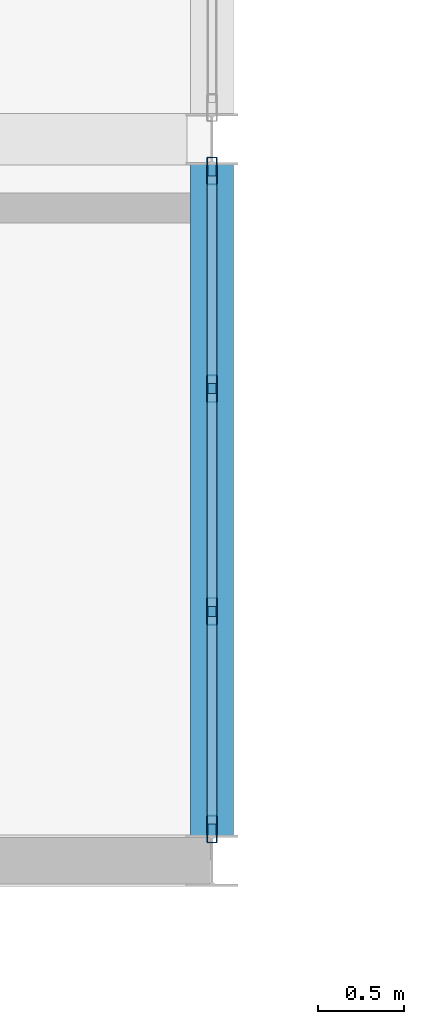
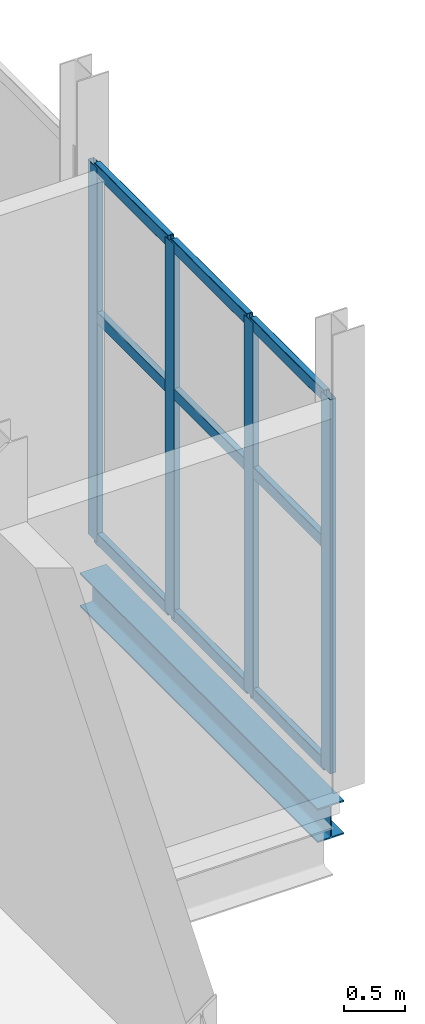
# One storey, part 25 of 172: 13 members, 1 beam, 1 element without a shape of its own.
"""IFC4 building model written with IfcOpenShell, lengths in metres."""

from ifc_helpers import new_model, si_unit, direction, frame, origin, origin_2d, place, context, subcontext, project, spatial, hollow_rectangle, i_section, extrude, material, material_profile, profile_set, type_object, element, aggregate, save


model = new_model("IFC4")

# Units and contexts
model_context = context("Model", 3, precision=1e-05, world=origin(), true_north=direction((0.0, 1.0)))
body_context = subcontext(model_context, "Body", "Model", "MODEL_VIEW")
ifc_project = project(units=[si_unit("LENGTHUNIT", "METRE"), si_unit("AREAUNIT", "SQUARE_METRE"), si_unit("VOLUMEUNIT", "CUBIC_METRE"), si_unit("PLANEANGLEUNIT", "RADIAN"), si_unit("MASSUNIT", "GRAM", prefix="KILO")], contexts=[model_context])

# Site, building, storey
site_placement = place(None, origin())
site = spatial("IfcSite", under=ifc_project, at=site_placement, CompositionType="ELEMENT")
building_placement = place(site_placement, origin())
building = spatial("IfcBuilding", under=site, at=building_placement, Name="Shengluoqiao Park Theatre", CompositionType="ELEMENT")
storey_placement = place(building_placement, frame((0.0, 0.0, 5.39990234375)))
storey = spatial("IfcBuildingStorey", under=building, at=storey_placement, Name="L01", CompositionType="ELEMENT", Elevation=5.39990234375)

# Curtain wall, members
ifc_material_1 = material(Name="Aluminium 6063-T6", Category="aluminium")
curtain_wall_type = type_object("IfcCurtainWallType", Name="ENV-CW-COURT", PredefinedType="NOTDEFINED", material=ifc_material_1)
curtain_wall_placement = place(storey_placement, origin())
curtain_wall = element("IfcCurtainWall", 1, at=curtain_wall_placement, inside=storey, type_object=curtain_wall_type, Name="L01 Curtain Wall CWX-L01-0155", PredefinedType="NOTDEFINED")
ifc_material_profile_1 = material_profile(ifc_material_1, hollow_rectangle(XDim=0.06005859375, YDim=0.159912109375, WallThickness=0.00390625, InnerFilletRadius=0.00390625, OuterFilletRadius=0.008056640625, at=origin_2d()), Name="ALU MULLION 160x60x4")
ifc_profile_set_1 = profile_set([ifc_material_profile_1], Name="Aluminium 6063-T6")
member_type_1 = type_object("IfcMemberType", Name="ENV-MUL-160", PredefinedType="MULLION", material=ifc_profile_set_1)
member_1_placement = place(storey_placement, frame((44.39990234375, 3.583984375, 0.0), z_axis=(0.0, 0.0, 1.0), x_axis=(-1.0, 0.0, 0.0)))
member_1 = element("IfcMember", 2, at=member_1_placement, type_object=member_type_1, Name="CW-05 mullion 1", PredefinedType="MULLION", context=body_context, shape_type="SweptSolid", body=[
    extrude(hollow_rectangle(XDim=0.06005859375, YDim=0.159912109375, WallThickness=0.00390625, InnerFilletRadius=0.00390625, OuterFilletRadius=0.008056640625, at=origin_2d()), origin(), (0.0, 0.0, 1.0), 3.756103515625),
])
member_2_placement = place(storey_placement, frame((44.39990234375, 4.851318359375, 0.0), z_axis=(0.0, 0.0, 1.0), x_axis=(-1.0, 0.0, 0.0)))
member_2 = element("IfcMember", 3, at=member_2_placement, type_object=member_type_1, Name="CW-05 mullion 2", PredefinedType="MULLION", context=body_context, shape_type="SweptSolid", body=[
    extrude(hollow_rectangle(XDim=0.06005859375, YDim=0.159912109375, WallThickness=0.00390625, InnerFilletRadius=0.00390625, OuterFilletRadius=0.008056640625, at=origin_2d()), origin(), (0.0, 0.0, 1.0), 3.756103515625),
])
member_3_placement = place(storey_placement, frame((44.39990234375, 6.148681640625, 0.0), z_axis=(0.0, 0.0, 1.0), x_axis=(-1.0, 0.0, 0.0)))
member_3 = element("IfcMember", 4, at=member_3_placement, type_object=member_type_1, Name="CW-05 mullion 3", PredefinedType="MULLION", context=body_context, shape_type="SweptSolid", body=[
    extrude(hollow_rectangle(XDim=0.06005859375, YDim=0.159912109375, WallThickness=0.00390625, InnerFilletRadius=0.00390625, OuterFilletRadius=0.008056640625, at=origin_2d()), origin(), (0.0, 0.0, 1.0), 3.756103515625),
])
member_4_placement = place(storey_placement, frame((44.39990234375, 7.416015625, 0.0), z_axis=(0.0, 0.0, 1.0), x_axis=(-1.0, 0.0, 0.0)))
member_4 = element("IfcMember", 5, at=member_4_placement, type_object=member_type_1, Name="CW-05 mullion 4", PredefinedType="MULLION", context=body_context, shape_type="SweptSolid", body=[
    extrude(hollow_rectangle(XDim=0.06005859375, YDim=0.159912109375, WallThickness=0.00390625, InnerFilletRadius=0.00390625, OuterFilletRadius=0.008056640625, at=origin_2d()), origin(), (0.0, 0.0, 1.0), 3.756103515625),
])
ifc_material_profile_2 = material_profile(ifc_material_1, hollow_rectangle(XDim=0.06005859375, YDim=0.1201171875, WallThickness=0.00390625, InnerFilletRadius=0.00390625, OuterFilletRadius=0.008056640625, at=origin_2d()), Name="ALU TRANSOM 120x60x4")
ifc_profile_set_2 = profile_set([ifc_material_profile_2], Name="Aluminium 6063-T6")
member_type_2 = type_object("IfcMemberType", Name="ENV-TRN-120", PredefinedType="USERDEFINED", material=ifc_profile_set_2)
member_5_placement = place(storey_placement, frame((44.39990234375, 3.614013671875, 0.030029296875), z_axis=(0.0, 1.0, 0.0), x_axis=(-1.0, 0.0, 0.0)))
member_5 = element("IfcMember", 6, at=member_5_placement, type_object=member_type_2, Name="CW-05 transom 1.1", ObjectType="TRANSOM", PredefinedType="USERDEFINED", context=body_context, shape_type="SweptSolid", body=[
    extrude(hollow_rectangle(XDim=0.06005859375, YDim=0.1201171875, WallThickness=0.00390625, InnerFilletRadius=0.00390625, OuterFilletRadius=0.008056640625, at=origin_2d()), origin(), (0.0, 0.0, 1.0), 1.207275390625),
])
member_6_placement = place(storey_placement, frame((44.39990234375, 3.614013671875, 2.254150390625), z_axis=(0.0, 1.0, 0.0), x_axis=(-1.0, 0.0, 0.0)))
member_6 = element("IfcMember", 7, at=member_6_placement, type_object=member_type_2, Name="CW-05 transom 1.2", ObjectType="TRANSOM", PredefinedType="USERDEFINED", context=body_context, shape_type="SweptSolid", body=[
    extrude(hollow_rectangle(XDim=0.06005859375, YDim=0.1201171875, WallThickness=0.00390625, InnerFilletRadius=0.00390625, OuterFilletRadius=0.008056640625, at=origin_2d()), origin(), (0.0, 0.0, 1.0), 1.207275390625),
])
member_7_placement = place(storey_placement, frame((44.39990234375, 3.614013671875, 3.72607421875), z_axis=(0.0, 1.0, 0.0), x_axis=(-1.0, 0.0, 0.0)))
member_7 = element("IfcMember", 8, at=member_7_placement, type_object=member_type_2, Name="CW-05 transom 1.3", ObjectType="TRANSOM", PredefinedType="USERDEFINED", context=body_context, shape_type="SweptSolid", body=[
    extrude(hollow_rectangle(XDim=0.06005859375, YDim=0.1201171875, WallThickness=0.00390625, InnerFilletRadius=0.00390625, OuterFilletRadius=0.008056640625, at=origin_2d()), origin(), (0.0, 0.0, 1.0), 1.207275390625),
])
member_8_placement = place(storey_placement, frame((44.39990234375, 4.88134765625, 0.030029296875), z_axis=(0.0, 1.0, 0.0), x_axis=(-1.0, 0.0, 0.0)))
member_8 = element("IfcMember", 9, at=member_8_placement, type_object=member_type_2, Name="CW-05 transom 2.1", ObjectType="TRANSOM", PredefinedType="USERDEFINED", context=body_context, shape_type="SweptSolid", body=[
    extrude(hollow_rectangle(XDim=0.06005859375, YDim=0.1201171875, WallThickness=0.00390625, InnerFilletRadius=0.00390625, OuterFilletRadius=0.008056640625, at=origin_2d()), origin(), (0.0, 0.0, 1.0), 1.2373046875),
])
member_9_placement = place(storey_placement, frame((44.39990234375, 4.88134765625, 2.254150390625), z_axis=(0.0, 1.0, 0.0), x_axis=(-1.0, 0.0, 0.0)))
member_9 = element("IfcMember", 10, at=member_9_placement, type_object=member_type_2, Name="CW-05 transom 2.2", ObjectType="TRANSOM", PredefinedType="USERDEFINED", context=body_context, shape_type="SweptSolid", body=[
    extrude(hollow_rectangle(XDim=0.06005859375, YDim=0.1201171875, WallThickness=0.00390625, InnerFilletRadius=0.00390625, OuterFilletRadius=0.008056640625, at=origin_2d()), origin(), (0.0, 0.0, 1.0), 1.2373046875),
])
member_10_placement = place(storey_placement, frame((44.39990234375, 4.88134765625, 3.72607421875), z_axis=(0.0, 1.0, 0.0), x_axis=(-1.0, 0.0, 0.0)))
member_10 = element("IfcMember", 11, at=member_10_placement, type_object=member_type_2, Name="CW-05 transom 2.3", ObjectType="TRANSOM", PredefinedType="USERDEFINED", context=body_context, shape_type="SweptSolid", body=[
    extrude(hollow_rectangle(XDim=0.06005859375, YDim=0.1201171875, WallThickness=0.00390625, InnerFilletRadius=0.00390625, OuterFilletRadius=0.008056640625, at=origin_2d()), origin(), (0.0, 0.0, 1.0), 1.2373046875),
])
member_11_placement = place(storey_placement, frame((44.39990234375, 6.1787109375, 0.030029296875), z_axis=(0.0, 1.0, 0.0), x_axis=(-1.0, 0.0, 0.0)))
member_11 = element("IfcMember", 12, at=member_11_placement, type_object=member_type_2, Name="CW-05 transom 3.1", ObjectType="TRANSOM", PredefinedType="USERDEFINED", context=body_context, shape_type="SweptSolid", body=[
    extrude(hollow_rectangle(XDim=0.06005859375, YDim=0.1201171875, WallThickness=0.00390625, InnerFilletRadius=0.00390625, OuterFilletRadius=0.008056640625, at=origin_2d()), origin(), (0.0, 0.0, 1.0), 1.207275390625),
])
member_12_placement = place(storey_placement, frame((44.39990234375, 6.1787109375, 2.254150390625), z_axis=(0.0, 1.0, 0.0), x_axis=(-1.0, 0.0, 0.0)))
member_12 = element("IfcMember", 13, at=member_12_placement, type_object=member_type_2, Name="CW-05 transom 3.2", ObjectType="TRANSOM", PredefinedType="USERDEFINED", context=body_context, shape_type="SweptSolid", body=[
    extrude(hollow_rectangle(XDim=0.06005859375, YDim=0.1201171875, WallThickness=0.00390625, InnerFilletRadius=0.00390625, OuterFilletRadius=0.008056640625, at=origin_2d()), origin(), (0.0, 0.0, 1.0), 1.207275390625),
])
member_13_placement = place(storey_placement, frame((44.39990234375, 6.1787109375, 3.72607421875), z_axis=(0.0, 1.0, 0.0), x_axis=(-1.0, 0.0, 0.0)))
member_13 = element("IfcMember", 14, at=member_13_placement, type_object=member_type_2, Name="CW-05 transom 3.3", ObjectType="TRANSOM", PredefinedType="USERDEFINED", context=body_context, shape_type="SweptSolid", body=[
    extrude(hollow_rectangle(XDim=0.06005859375, YDim=0.1201171875, WallThickness=0.00390625, InnerFilletRadius=0.00390625, OuterFilletRadius=0.008056640625, at=origin_2d()), origin(), (0.0, 0.0, 1.0), 1.207275390625),
])
aggregate(curtain_wall, [member_1, member_2, member_3, member_4, member_5, member_6, member_7, member_8, member_9, member_10, member_11, member_12, member_13])

# Beam
ifc_material_2 = material(Name="Steel Q355", Category="steel")
ifc_material_profile_3 = material_profile(ifc_material_2, i_section(OverallWidth=0.25, OverallDepth=0.340087890625, WebThickness=0.009033203125, FlangeThickness=0.013916015625, FilletRadius=0.01611328125, at=origin_2d()), Name="HM 340x250x9x14")
ifc_profile_set_3 = profile_set([ifc_material_profile_3], Name="Steel Q355")
beam_type = type_object("IfcBeamType", Name="STR-BM-G-HM340", PredefinedType="BEAM", material=ifc_profile_set_3)
beam_placement = place(storey_placement, frame((44.39990234375, 3.5439453125, -0.510009765625), z_axis=(0.0, 1.0, 0.0), x_axis=(-1.0, 0.0, 0.0)))
element("IfcBeam", 15, at=beam_placement, inside=storey, type_object=beam_type, Name="L01 Transverse Girder 00433", PredefinedType="BEAM", context=body_context, shape_type="SweptSolid", body=[
    extrude(i_section(OverallWidth=0.25, OverallDepth=0.340087890625, WebThickness=0.009033203125, FlangeThickness=0.013916015625, FilletRadius=0.01611328125, at=origin_2d()), origin(), (0.0, 0.0, 1.0), 3.912109375),
])

save(model, "model.ifc")
